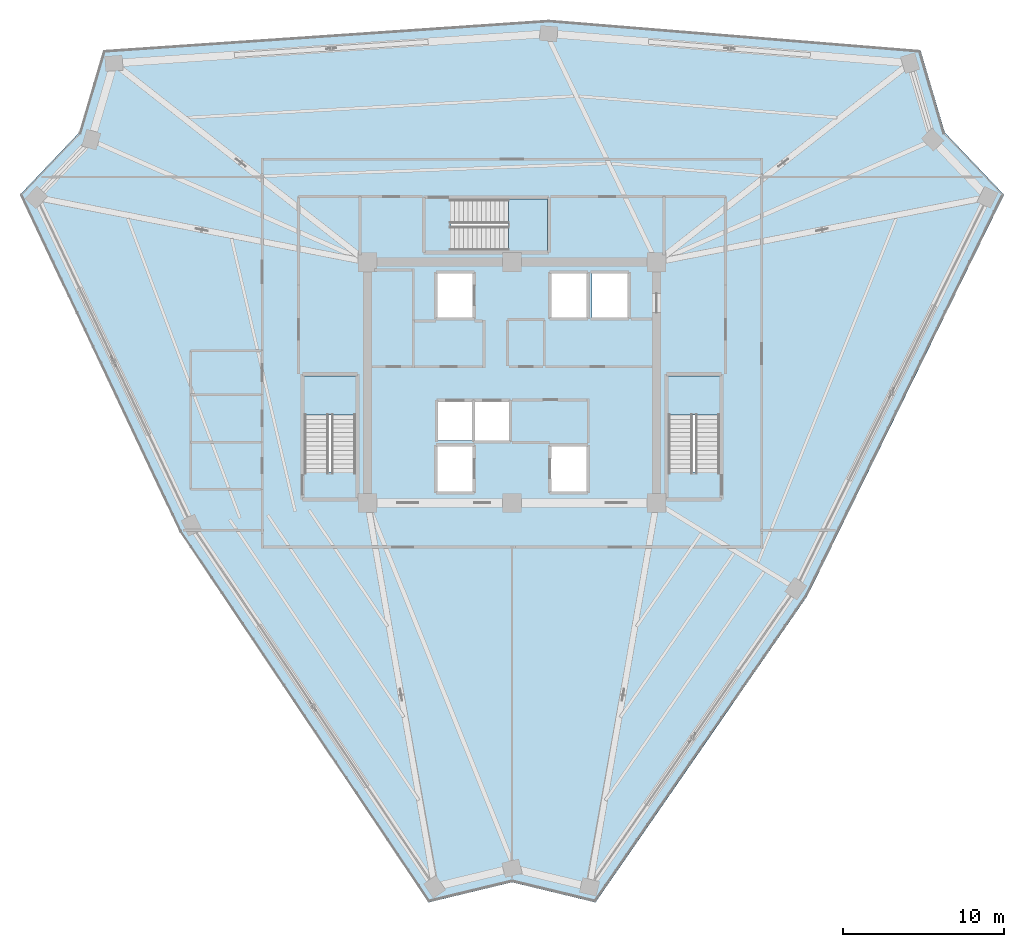
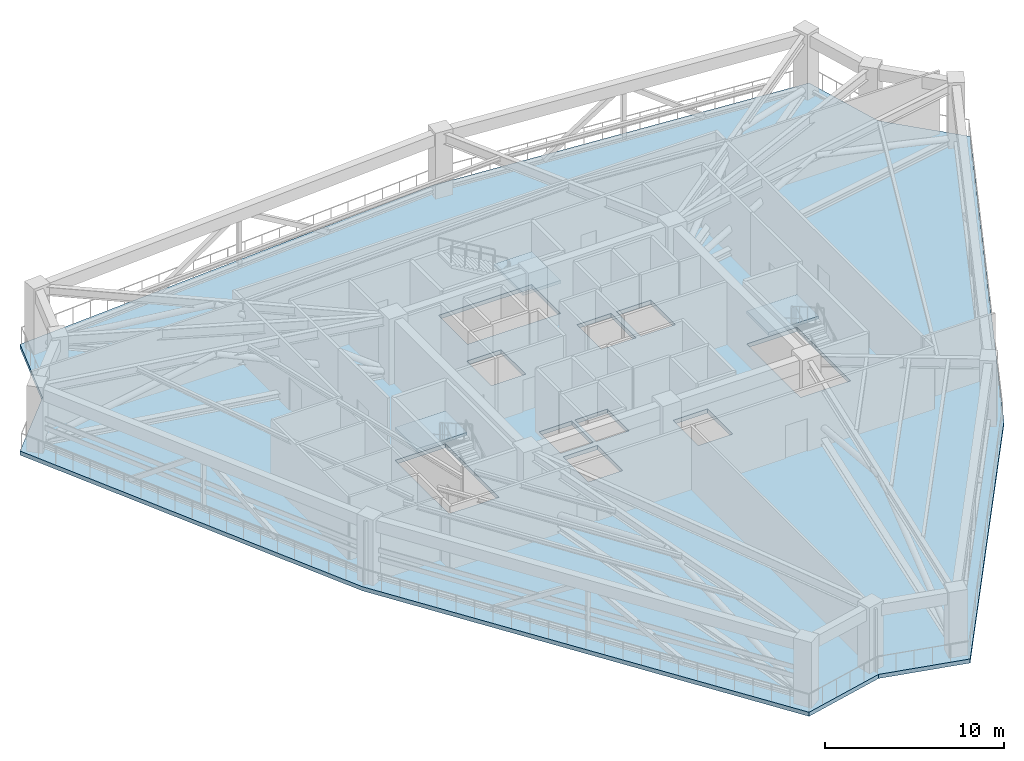
# One storey, part 11 of 22: 4 slabs, 3 elements without a shape of their own.
"""IFC4 building model written with IfcOpenShell, lengths in metres."""

from ifc_helpers import new_model, si_unit, direction, frame, origin, place, context, subcontext, project, spatial, polyline, outline, extrude, material, layer, layer_set, type_object, element, aggregate, save


model = new_model("IFC4")

# Units and contexts
model_context = context("Model", 3, precision=1e-05, world=origin(), true_north=direction((0.0, 1.0)))
body_context = subcontext(model_context, "Body", "Model", "MODEL_VIEW")
ifc_project = project(units=[si_unit("LENGTHUNIT", "METRE"), si_unit("AREAUNIT", "SQUARE_METRE"), si_unit("VOLUMEUNIT", "CUBIC_METRE"), si_unit("PLANEANGLEUNIT", "RADIAN"), si_unit("MASSUNIT", "GRAM", prefix="KILO")], contexts=[model_context])

# Site, building, storey
site_placement = place(None, origin())
site = spatial("IfcSite", under=ifc_project, at=site_placement, CompositionType="ELEMENT")
building_placement = place(site_placement, origin())
building = spatial("IfcBuilding", under=site, at=building_placement, Name="Liaohun Quay Tower", CompositionType="ELEMENT")
storey_placement = place(building_placement, frame((0.0, 0.0, 324.0)))
storey = spatial("IfcBuildingStorey", under=building, at=storey_placement, Name="L84", CompositionType="ELEMENT", Elevation=324.0)

# Stair, slab
ifc_material_1 = material(Name="Concrete C45", Category="concrete")
stair_type = type_object("IfcStairType", Name="STR-CORE-TALL", PredefinedType="HALF_TURN_STAIR", material=ifc_material_1)
stair_1_placement = place(storey_placement, origin())
stair_1 = element("IfcStair", 1, at=stair_1_placement, inside=storey, type_object=stair_type, Name="L84 Smokeproof Core Exit Stair ST-1", PredefinedType="HALF_TURN_STAIR")
ifc_layer_1 = layer(ifc_material_1, 0.199951171875, Name="Concrete C45", Category="concrete")
ifc_layer_set_1 = layer_set([ifc_layer_1], Name="Concrete C45")
slab_type_1 = type_object("IfcSlabType", Name="SLB-LND-200", PredefinedType="LANDING", material=ifc_layer_set_1)
slab_1_placement = place(storey_placement, frame((0.0, 0.0, 2.050048828125)))
slab_1 = element("IfcSlab", 2, at=slab_1_placement, type_object=slab_type_1, Name="ST-1 landing 1", PredefinedType="LANDING", context=body_context, shape_type="SweptSolid", body=[
    extrude(outline(polyline([(50.280029296875, 51.989990234375), (50.280029296875, 54.419921875), (47.0400390625, 54.419921875), (47.0400390625, 51.989990234375), (50.280029296875, 51.989990234375)])), origin(), (0.0, 0.0, 1.0), 0.199951171875),
])
aggregate(stair_1, [slab_1])

stair_2_placement = place(storey_placement, origin())
stair_2 = element("IfcStair", 3, at=stair_2_placement, inside=storey, type_object=stair_type, Name="L84 Smokeproof Core Exit Stair ST-2", PredefinedType="HALF_TURN_STAIR")
slab_2_placement = place(storey_placement, frame((0.0, 0.0, 2.050048828125)))
slab_2 = element("IfcSlab", 4, at=slab_2_placement, type_object=slab_type_1, Name="ST-2 landing 1", PredefinedType="LANDING", context=body_context, shape_type="SweptSolid", body=[
    extrude(outline(polyline([(72.9599609375, 51.989990234375), (72.9599609375, 54.419921875), (69.719970703125, 54.419921875), (69.719970703125, 51.989990234375), (72.9599609375, 51.989990234375)])), origin(), (0.0, 0.0, 1.0), 0.199951171875),
])
aggregate(stair_2, [slab_2])

stair_3_placement = place(storey_placement, origin())
stair_3 = element("IfcStair", 5, at=stair_3_placement, inside=storey, type_object=stair_type, Name="L84 Smokeproof Core Exit Stair ST-3", PredefinedType="HALF_TURN_STAIR")
slab_3_placement = place(storey_placement, frame((0.0, 0.0, 2.050048828125)))
slab_3 = element("IfcSlab", 6, at=slab_3_placement, type_object=slab_type_1, Name="ST-3 landing 1", PredefinedType="LANDING", context=body_context, shape_type="SweptSolid", body=[
    extrude(outline(polyline([(59.7900390625, 62.199951171875), (62.219970703125, 62.199951171875), (62.219970703125, 65.43994140625), (59.7900390625, 65.43994140625), (59.7900390625, 62.199951171875)])), origin(), (0.0, 0.0, 1.0), 0.199951171875),
])
aggregate(stair_3, [slab_3])

# Slab
ifc_material_2 = material(Name="Concrete C50", Category="concrete")
ifc_layer_2 = layer(ifc_material_2, 0.280029296875, Name="Concrete C50", Category="concrete")
ifc_layer_set_2 = layer_set([ifc_layer_2], Name="Concrete C50")
slab_type_2 = type_object("IfcSlabType", Name="SLB-REF-280", PredefinedType="FLOOR", material=ifc_layer_set_2)
slab_4_placement = place(storey_placement, frame((0.0, 0.0, -0.280029296875)))
element("IfcSlab", 7, at=slab_4_placement, inside=storey, type_object=slab_type_2, Name="L84 Structural Floor Slab", PredefinedType="FLOOR", context=body_context, shape_type="SweptSolid", body=[
    extrude(outline(polyline([(54.801025390625, 21.60595703125), (60.0, 22.861083984375), (65.198974609375, 21.60595703125), (78.4150390625, 40.722900390625), (90.654052734375, 65.695068359375), (86.967041015625, 69.569091796875), (85.455078125, 74.698974609375), (62.291015625, 76.5859375), (34.544921875, 74.698974609375), (33.032958984375, 69.569091796875), (29.345947265625, 65.695068359375), (39.2939453125, 44.69091796875), (54.801025390625, 21.60595703125)]), holes=[polyline([(57.56005859375, 50.030029296875), (55.340087890625, 50.030029296875), (55.340087890625, 47.2099609375), (57.56005859375, 47.2099609375), (57.56005859375, 50.030029296875)]), polyline([(64.659912109375, 50.030029296875), (62.43994140625, 50.030029296875), (62.43994140625, 47.2099609375), (64.659912109375, 47.2099609375), (64.659912109375, 50.030029296875)]), polyline([(47.0400390625, 54.419921875), (47.0400390625, 48.409912109375), (50.280029296875, 48.409912109375), (50.280029296875, 54.419921875), (47.0400390625, 54.419921875)]), polyline([(72.9599609375, 54.419921875), (69.719970703125, 54.419921875), (69.719970703125, 48.409912109375), (72.9599609375, 48.409912109375), (72.9599609375, 54.419921875)]), polyline([(57.510009765625, 50.389892578125), (57.510009765625, 52.81005859375), (55.389892578125, 52.81005859375), (55.389892578125, 50.389892578125), (57.510009765625, 50.389892578125)]), polyline([(59.81005859375, 52.81005859375), (57.68994140625, 52.81005859375), (57.68994140625, 50.389892578125), (59.81005859375, 50.389892578125), (59.81005859375, 52.81005859375)]), polyline([(57.56005859375, 60.7900390625), (55.340087890625, 60.7900390625), (55.340087890625, 58.0400390625), (57.56005859375, 58.0400390625), (57.56005859375, 60.7900390625)]), polyline([(64.659912109375, 60.7900390625), (62.43994140625, 60.7900390625), (62.43994140625, 58.0400390625), (64.659912109375, 58.0400390625), (64.659912109375, 60.7900390625)]), polyline([(67.2099609375, 58.0400390625), (67.2099609375, 60.7900390625), (64.989990234375, 60.7900390625), (64.989990234375, 58.0400390625), (67.2099609375, 58.0400390625)]), polyline([(62.219970703125, 62.199951171875), (62.219970703125, 65.43994140625), (56.2099609375, 65.43994140625), (56.2099609375, 62.199951171875), (62.219970703125, 62.199951171875)])]), origin(), (0.0, 0.0, 1.0), 0.280029296875),
])

save(model, "model.ifc")
